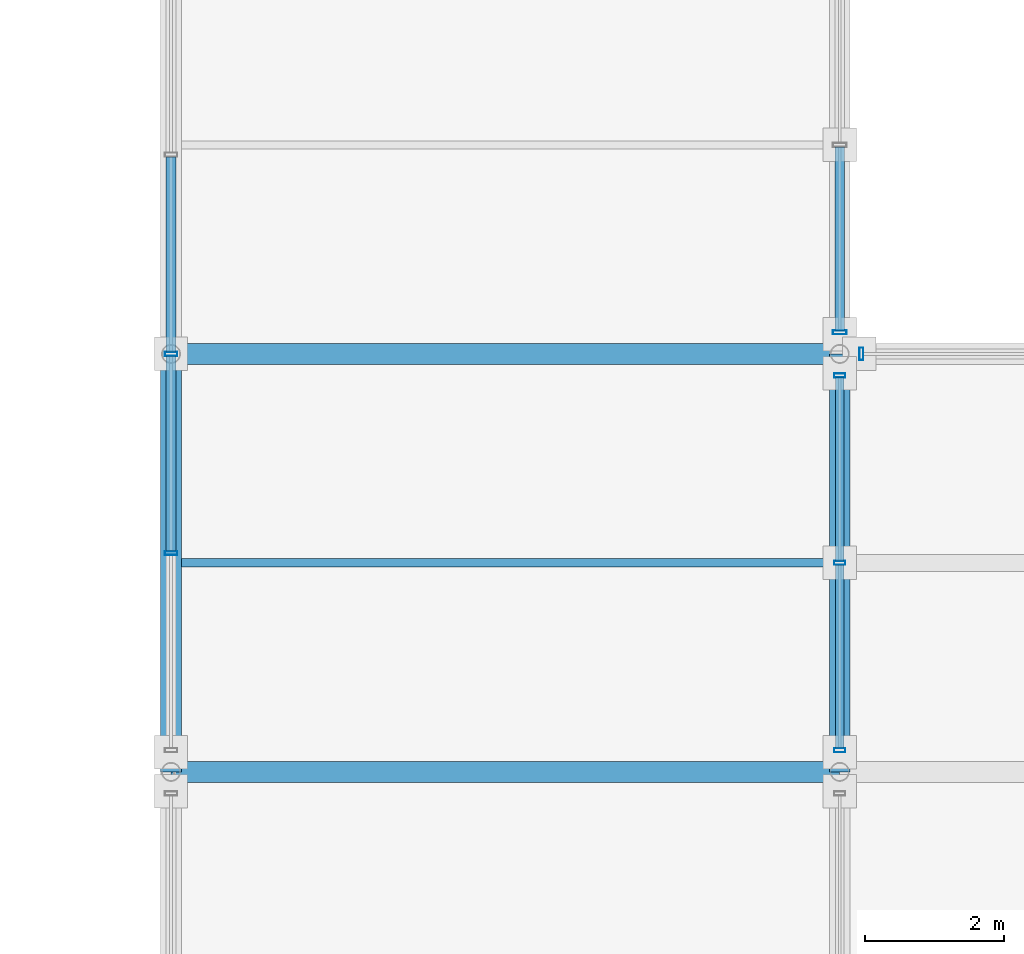
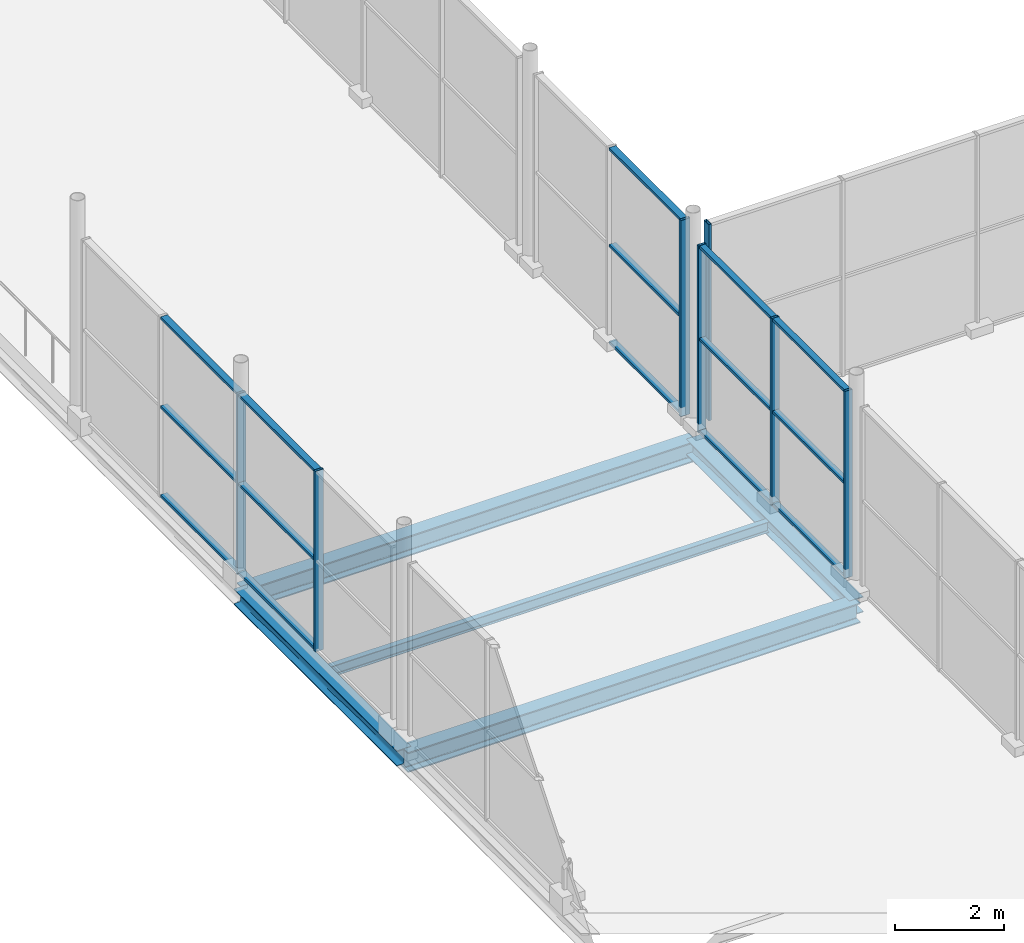
# One storey, part 56 of 159: 22 members, 5 beams, 4 elements without a shape of their own.
"""IFC4 building model written with IfcOpenShell, lengths in metres."""

from ifc_helpers import new_model, si_unit, direction, frame, origin, origin_2d, place, context, subcontext, project, spatial, hollow_rectangle, i_section, extrude, material, material_profile, profile_set, type_object, element, aggregate, save


model = new_model("IFC4")

# Units and contexts
model_context = context("Model", 3, precision=1e-05, world=origin(), true_north=direction((0.0, 1.0)))
body_context = subcontext(model_context, "Body", "Model", "MODEL_VIEW")
ifc_project = project(units=[si_unit("LENGTHUNIT", "METRE"), si_unit("AREAUNIT", "SQUARE_METRE"), si_unit("VOLUMEUNIT", "CUBIC_METRE"), si_unit("PLANEANGLEUNIT", "RADIAN"), si_unit("MASSUNIT", "GRAM", prefix="KILO")], contexts=[model_context])

# Site, building, storey
site_placement = place(None, origin())
site = spatial("IfcSite", under=ifc_project, at=site_placement, CompositionType="ELEMENT")
building_placement = place(site_placement, origin())
building = spatial("IfcBuilding", under=site, at=building_placement, Name="Merenkruunu Market Hall", CompositionType="ELEMENT")
storey_placement = place(building_placement, frame((0.0, 0.0, 5.39990234375)))
storey = spatial("IfcBuildingStorey", under=building, at=storey_placement, Name="L01", CompositionType="ELEMENT", Elevation=5.39990234375)

# Curtain wall, members
ifc_material_1 = material(Name="Powder-coated aluminium", Category="aluminium")
curtain_wall_type_1 = type_object("IfcCurtainWallType", Name="Glazed Curtain Wall CW14", PredefinedType="USERDEFINED", material=ifc_material_1)
curtain_wall_1_placement = place(storey_placement, origin())
curtain_wall_1 = element("IfcCurtainWall", 1, at=curtain_wall_1_placement, inside=storey, type_object=curtain_wall_type_1, Name="CW-L01-CWM01-155", ObjectType="GLAZED_FACADE", PredefinedType="USERDEFINED")
ifc_material_profile_1 = material_profile(ifc_material_1, hollow_rectangle(XDim=0.06005859375, YDim=0.159912109375, WallThickness=0.00390625, at=origin_2d()), Name="ALU 60x160x4")
ifc_profile_set_1 = profile_set([ifc_material_profile_1], Name="Powder-coated aluminium")
member_type_1 = type_object("IfcMemberType", Name="Curtain Wall Mullion CWM01", PredefinedType="MULLION", material=ifc_profile_set_1)
member_1_placement = place(storey_placement, frame((76.800048828125, 39.909912109375, 0.0), z_axis=(0.0, 0.0, 1.0), x_axis=(0.0, 1.0, 0.0)))
member_1 = element("IfcMember", 2, at=member_1_placement, type_object=member_type_1, Name="CW14 mullion 1", PredefinedType="MULLION", context=body_context, shape_type="SweptSolid", body=[
    extrude(hollow_rectangle(XDim=0.06005859375, YDim=0.159912109375, WallThickness=0.00390625, at=origin_2d()), origin(), (0.0, 0.0, 1.0), 4.2001953125),
])
member_2_placement = place(storey_placement, frame((76.800048828125, 42.60009765625, 0.0), z_axis=(0.0, 0.0, 1.0), x_axis=(0.0, 1.0, 0.0)))
member_2 = element("IfcMember", 3, at=member_2_placement, type_object=member_type_1, Name="CW14 mullion 2", PredefinedType="MULLION", context=body_context, shape_type="SweptSolid", body=[
    extrude(hollow_rectangle(XDim=0.06005859375, YDim=0.159912109375, WallThickness=0.00390625, at=origin_2d()), origin(), (0.0, 0.0, 1.0), 4.2001953125),
])
member_3_placement = place(storey_placement, frame((76.800048828125, 45.2900390625, 0.0), z_axis=(0.0, 0.0, 1.0), x_axis=(0.0, 1.0, 0.0)))
member_3 = element("IfcMember", 4, at=member_3_placement, type_object=member_type_1, Name="CW14 mullion 3", PredefinedType="MULLION", context=body_context, shape_type="SweptSolid", body=[
    extrude(hollow_rectangle(XDim=0.06005859375, YDim=0.159912109375, WallThickness=0.00390625, at=origin_2d()), origin(), (0.0, 0.0, 1.0), 4.2001953125),
])

curtain_wall_type_2 = type_object("IfcCurtainWallType", Name="Glazed Curtain Wall CW16", PredefinedType="USERDEFINED", material=ifc_material_1)
curtain_wall_2_placement = place(storey_placement, origin())
curtain_wall_2 = element("IfcCurtainWall", 5, at=curtain_wall_2_placement, inside=storey, type_object=curtain_wall_type_2, Name="CW-L01-CWM02-173", ObjectType="GLAZED_FACADE", PredefinedType="USERDEFINED")
ifc_material_profile_2 = material_profile(ifc_material_1, hollow_rectangle(XDim=0.06005859375, YDim=0.179931640625, WallThickness=0.00390625, at=origin_2d()), Name="ALU 60x180x4")
ifc_profile_set_2 = profile_set([ifc_material_profile_2], Name="Powder-coated aluminium")
member_type_2 = type_object("IfcMemberType", Name="Curtain Wall Mullion CWM02", PredefinedType="MULLION", material=ifc_profile_set_2)
member_4_placement = place(storey_placement, frame((67.199951171875, 42.739990234375, 0.0), z_axis=(0.0, 0.0, 1.0), x_axis=(0.0, 1.0, 0.0)))
member_4 = element("IfcMember", 6, at=member_4_placement, type_object=member_type_2, Name="CW16 mullion 2", PredefinedType="MULLION", context=body_context, shape_type="SweptSolid", body=[
    extrude(hollow_rectangle(XDim=0.06005859375, YDim=0.179931640625, WallThickness=0.00390625, at=origin_2d()), origin(), (0.0, 0.0, 1.0), 4.050048828125),
])
member_5_placement = place(storey_placement, frame((67.199951171875, 45.60009765625, 0.0), z_axis=(0.0, 0.0, 1.0), x_axis=(0.0, 1.0, 0.0)))
member_5 = element("IfcMember", 7, at=member_5_placement, type_object=member_type_2, Name="CW16 mullion 3", PredefinedType="MULLION", context=body_context, shape_type="SweptSolid", body=[
    extrude(hollow_rectangle(XDim=0.06005859375, YDim=0.179931640625, WallThickness=0.00390625, at=origin_2d()), origin(), (0.0, 0.0, 1.0), 4.050048828125),
])

# Curtain wall, member
curtain_wall_type_3 = type_object("IfcCurtainWallType", Name="Glazed Curtain Wall CW05", PredefinedType="USERDEFINED", material=ifc_material_1)
curtain_wall_3_placement = place(storey_placement, origin())
curtain_wall_3 = element("IfcCurtainWall", 8, at=curtain_wall_3_placement, inside=storey, type_object=curtain_wall_type_3, Name="CW-L01-CWM02-183", ObjectType="GLAZED_FACADE", PredefinedType="USERDEFINED")
member_6_placement = place(storey_placement, frame((77.110107421875, 45.60009765625, 0.0), z_axis=(0.0, 0.0, 1.0), x_axis=(1.0, 0.0, 0.0)))
member_6 = element("IfcMember", 9, at=member_6_placement, type_object=member_type_2, Name="CW05 mullion 1", PredefinedType="MULLION", context=body_context, shape_type="SweptSolid", body=[
    extrude(hollow_rectangle(XDim=0.06005859375, YDim=0.179931640625, WallThickness=0.00390625, at=origin_2d()), origin(), (0.0, 0.0, 1.0), 4.400146484375),
])
aggregate(curtain_wall_3, [member_6])

curtain_wall_type_4 = type_object("IfcCurtainWallType", Name="Glazed Curtain Wall CW11", PredefinedType="USERDEFINED", material=ifc_material_1)
curtain_wall_4_placement = place(storey_placement, origin())
curtain_wall_4 = element("IfcCurtainWall", 10, at=curtain_wall_4_placement, inside=storey, type_object=curtain_wall_type_4, Name="CW-L01-CWM03-157", ObjectType="GLAZED_FACADE", PredefinedType="USERDEFINED")
ifc_material_profile_3 = material_profile(ifc_material_1, hollow_rectangle(XDim=0.06005859375, YDim=0.199951171875, WallThickness=0.0048828125, at=origin_2d()), Name="ALU 60x200x5")
ifc_profile_set_3 = profile_set([ifc_material_profile_3], Name="Powder-coated aluminium")
member_type_3 = type_object("IfcMemberType", Name="Curtain Wall Mullion CWM03", PredefinedType="MULLION", material=ifc_profile_set_3)
member_7_placement = place(storey_placement, frame((76.800048828125, 45.909912109375, 0.0), z_axis=(0.0, 0.0, 1.0), x_axis=(0.0, -1.0, 0.0)))
member_7 = element("IfcMember", 11, at=member_7_placement, type_object=member_type_3, Name="CW11 mullion 3", PredefinedType="MULLION", context=body_context, shape_type="SweptSolid", body=[
    extrude(hollow_rectangle(XDim=0.06005859375, YDim=0.199951171875, WallThickness=0.0048828125, at=origin_2d()), origin(), (0.0, 0.0, 1.0), 4.400146484375),
])

# Member
ifc_material_profile_4 = material_profile(ifc_material_1, hollow_rectangle(XDim=0.06005859375, YDim=0.125, WallThickness=0.00390625, at=origin_2d()), Name="ALU 60x125x4")
ifc_profile_set_4 = profile_set([ifc_material_profile_4], Name="Powder-coated aluminium")
member_type_4 = type_object("IfcMemberType", Name="Curtain Wall Transom CWT01", PredefinedType="USERDEFINED", material=ifc_profile_set_4)
member_8_placement = place(storey_placement, frame((76.800048828125, 39.93994140625, 0.030029296875), z_axis=(0.0, 1.0, 0.0), x_axis=(0.0, 0.0, 1.0)))
member_8 = element("IfcMember", 12, at=member_8_placement, type_object=member_type_4, Name="CW14 transom 1.1", ObjectType="TRANSOM", PredefinedType="USERDEFINED", context=body_context, shape_type="SweptSolid", body=[
    extrude(hollow_rectangle(XDim=0.06005859375, YDim=0.125, WallThickness=0.00390625, at=origin_2d()), origin(), (0.0, 0.0, 1.0), 2.630126953125),
])

member_9_placement = place(storey_placement, frame((76.800048828125, 39.93994140625, 2.10009765625), z_axis=(0.0, 1.0, 0.0), x_axis=(0.0, 0.0, 1.0)))
member_9 = element("IfcMember", 13, at=member_9_placement, type_object=member_type_4, Name="CW14 transom 1.2", ObjectType="TRANSOM", PredefinedType="USERDEFINED", context=body_context, shape_type="SweptSolid", body=[
    extrude(hollow_rectangle(XDim=0.06005859375, YDim=0.125, WallThickness=0.00390625, at=origin_2d()), origin(), (0.0, 0.0, 1.0), 2.630126953125),
])

member_10_placement = place(storey_placement, frame((76.800048828125, 39.93994140625, 4.170166015625), z_axis=(0.0, 1.0, 0.0), x_axis=(0.0, 0.0, 1.0)))
member_10 = element("IfcMember", 14, at=member_10_placement, type_object=member_type_4, Name="CW14 transom 1.3", ObjectType="TRANSOM", PredefinedType="USERDEFINED", context=body_context, shape_type="SweptSolid", body=[
    extrude(hollow_rectangle(XDim=0.06005859375, YDim=0.125, WallThickness=0.00390625, at=origin_2d()), origin(), (0.0, 0.0, 1.0), 2.630126953125),
])

member_11_placement = place(storey_placement, frame((76.800048828125, 42.6298828125, 0.030029296875), z_axis=(0.0, 1.0, 0.0), x_axis=(0.0, 0.0, 1.0)))
member_11 = element("IfcMember", 15, at=member_11_placement, type_object=member_type_4, Name="CW14 transom 2.1", ObjectType="TRANSOM", PredefinedType="USERDEFINED", context=body_context, shape_type="SweptSolid", body=[
    extrude(hollow_rectangle(XDim=0.06005859375, YDim=0.125, WallThickness=0.00390625, at=origin_2d()), origin(), (0.0, 0.0, 1.0), 2.630126953125),
])

member_12_placement = place(storey_placement, frame((76.800048828125, 42.6298828125, 2.10009765625), z_axis=(0.0, 1.0, 0.0), x_axis=(0.0, 0.0, 1.0)))
member_12 = element("IfcMember", 16, at=member_12_placement, type_object=member_type_4, Name="CW14 transom 2.2", ObjectType="TRANSOM", PredefinedType="USERDEFINED", context=body_context, shape_type="SweptSolid", body=[
    extrude(hollow_rectangle(XDim=0.06005859375, YDim=0.125, WallThickness=0.00390625, at=origin_2d()), origin(), (0.0, 0.0, 1.0), 2.630126953125),
])

member_13_placement = place(storey_placement, frame((76.800048828125, 42.6298828125, 4.170166015625), z_axis=(0.0, 1.0, 0.0), x_axis=(0.0, 0.0, 1.0)))
member_13 = element("IfcMember", 17, at=member_13_placement, type_object=member_type_4, Name="CW14 transom 2.3", ObjectType="TRANSOM", PredefinedType="USERDEFINED", context=body_context, shape_type="SweptSolid", body=[
    extrude(hollow_rectangle(XDim=0.06005859375, YDim=0.125, WallThickness=0.00390625, at=origin_2d()), origin(), (0.0, 0.0, 1.0), 2.630126953125),
])

aggregate(curtain_wall_1, [member_1, member_2, member_3, member_8, member_9, member_10, member_11, member_12, member_13])

ifc_material_profile_5 = material_profile(ifc_material_1, hollow_rectangle(XDim=0.06005859375, YDim=0.139892578125, WallThickness=0.00390625, at=origin_2d()), Name="ALU 60x140x4")
ifc_profile_set_5 = profile_set([ifc_material_profile_5], Name="Powder-coated aluminium")
member_type_5 = type_object("IfcMemberType", Name="Curtain Wall Transom CWT02", PredefinedType="USERDEFINED", material=ifc_profile_set_5)
member_14_placement = place(storey_placement, frame((76.800048828125, 48.570068359375, 0.030029296875), z_axis=(0.0, -1.0, 0.0), x_axis=(0.0, 0.0, 1.0)))
member_14 = element("IfcMember", 18, at=member_14_placement, type_object=member_type_5, Name="CW11 transom 2.1", ObjectType="TRANSOM", PredefinedType="USERDEFINED", context=body_context, shape_type="SweptSolid", body=[
    extrude(hollow_rectangle(XDim=0.06005859375, YDim=0.139892578125, WallThickness=0.00390625, at=origin_2d()), origin(), (0.0, 0.0, 1.0), 2.630126953125),
])

member_15_placement = place(storey_placement, frame((76.800048828125, 48.570068359375, 2.2001953125), z_axis=(0.0, -1.0, 0.0), x_axis=(0.0, 0.0, 1.0)))
member_15 = element("IfcMember", 19, at=member_15_placement, type_object=member_type_5, Name="CW11 transom 2.2", ObjectType="TRANSOM", PredefinedType="USERDEFINED", context=body_context, shape_type="SweptSolid", body=[
    extrude(hollow_rectangle(XDim=0.06005859375, YDim=0.139892578125, WallThickness=0.00390625, at=origin_2d()), origin(), (0.0, 0.0, 1.0), 2.630126953125),
])

member_16_placement = place(storey_placement, frame((76.800048828125, 48.570068359375, 4.3701171875), z_axis=(0.0, -1.0, 0.0), x_axis=(0.0, 0.0, 1.0)))
member_16 = element("IfcMember", 20, at=member_16_placement, type_object=member_type_5, Name="CW11 transom 2.3", ObjectType="TRANSOM", PredefinedType="USERDEFINED", context=body_context, shape_type="SweptSolid", body=[
    extrude(hollow_rectangle(XDim=0.06005859375, YDim=0.139892578125, WallThickness=0.00390625, at=origin_2d()), origin(), (0.0, 0.0, 1.0), 2.630126953125),
])

aggregate(curtain_wall_4, [member_7, member_14, member_15, member_16])

member_17_placement = place(storey_placement, frame((67.199951171875, 42.77001953125, 0.030029296875), z_axis=(0.0, 1.0, 0.0), x_axis=(0.0, 0.0, 1.0)))
member_17 = element("IfcMember", 21, at=member_17_placement, type_object=member_type_5, Name="CW16 transom 2.1", ObjectType="TRANSOM", PredefinedType="USERDEFINED", context=body_context, shape_type="SweptSolid", body=[
    extrude(hollow_rectangle(XDim=0.06005859375, YDim=0.139892578125, WallThickness=0.00390625, at=origin_2d()), origin(), (0.0, 0.0, 1.0), 2.800048828125),
])

member_18_placement = place(storey_placement, frame((67.199951171875, 42.77001953125, 2.025146484375), z_axis=(0.0, 1.0, 0.0), x_axis=(0.0, 0.0, 1.0)))
member_18 = element("IfcMember", 22, at=member_18_placement, type_object=member_type_5, Name="CW16 transom 2.2", ObjectType="TRANSOM", PredefinedType="USERDEFINED", context=body_context, shape_type="SweptSolid", body=[
    extrude(hollow_rectangle(XDim=0.06005859375, YDim=0.139892578125, WallThickness=0.00390625, at=origin_2d()), origin(), (0.0, 0.0, 1.0), 2.800048828125),
])

member_19_placement = place(storey_placement, frame((67.199951171875, 42.77001953125, 4.02001953125), z_axis=(0.0, 1.0, 0.0), x_axis=(0.0, 0.0, 1.0)))
member_19 = element("IfcMember", 23, at=member_19_placement, type_object=member_type_5, Name="CW16 transom 2.3", ObjectType="TRANSOM", PredefinedType="USERDEFINED", context=body_context, shape_type="SweptSolid", body=[
    extrude(hollow_rectangle(XDim=0.06005859375, YDim=0.139892578125, WallThickness=0.00390625, at=origin_2d()), origin(), (0.0, 0.0, 1.0), 2.800048828125),
])

member_20_placement = place(storey_placement, frame((67.199951171875, 45.6298828125, 0.030029296875), z_axis=(0.0, 1.0, 0.0), x_axis=(0.0, 0.0, 1.0)))
member_20 = element("IfcMember", 24, at=member_20_placement, type_object=member_type_5, Name="CW16 transom 3.1", ObjectType="TRANSOM", PredefinedType="USERDEFINED", context=body_context, shape_type="SweptSolid", body=[
    extrude(hollow_rectangle(XDim=0.06005859375, YDim=0.139892578125, WallThickness=0.00390625, at=origin_2d()), origin(), (0.0, 0.0, 1.0), 2.800048828125),
])

member_21_placement = place(storey_placement, frame((67.199951171875, 45.6298828125, 2.025146484375), z_axis=(0.0, 1.0, 0.0), x_axis=(0.0, 0.0, 1.0)))
member_21 = element("IfcMember", 25, at=member_21_placement, type_object=member_type_5, Name="CW16 transom 3.2", ObjectType="TRANSOM", PredefinedType="USERDEFINED", context=body_context, shape_type="SweptSolid", body=[
    extrude(hollow_rectangle(XDim=0.06005859375, YDim=0.139892578125, WallThickness=0.00390625, at=origin_2d()), origin(), (0.0, 0.0, 1.0), 2.800048828125),
])

member_22_placement = place(storey_placement, frame((67.199951171875, 45.6298828125, 4.02001953125), z_axis=(0.0, 1.0, 0.0), x_axis=(0.0, 0.0, 1.0)))
member_22 = element("IfcMember", 26, at=member_22_placement, type_object=member_type_5, Name="CW16 transom 3.3", ObjectType="TRANSOM", PredefinedType="USERDEFINED", context=body_context, shape_type="SweptSolid", body=[
    extrude(hollow_rectangle(XDim=0.06005859375, YDim=0.139892578125, WallThickness=0.00390625, at=origin_2d()), origin(), (0.0, 0.0, 1.0), 2.800048828125),
])

aggregate(curtain_wall_2, [member_4, member_5, member_17, member_18, member_19, member_20, member_21, member_22])

# Beams
ifc_material_2 = material(Name="Steel S355J2", Category="steel")
ifc_material_profile_6 = material_profile(ifc_material_2, i_section(OverallWidth=0.300048828125, OverallDepth=0.449951171875, WebThickness=0.013916015625, FlangeThickness=0.02587890625, FilletRadius=0.027099609375, at=origin_2d()), Name="HEB 450")
ifc_profile_set_6 = profile_set([ifc_material_profile_6], Name="Steel S355J2")
beam_type_1 = type_object("IfcBeamType", Name="Primary Floor Girder B03", PredefinedType="BEAM", material=ifc_profile_set_6)
for number, where, z_axis, x_axis, name in (
    (27, (67.199951171875, 39.60009765625, -0.534912109375), (1.0, 0.0, 0.0), (0.0, 1.0, 0.0), "BM-L01-B03-0496"),
    (28, (67.199951171875, 45.60009765625, -0.534912109375), (1.0, 0.0, 0.0), (0.0, 1.0, 0.0), "BM-L01-B03-0508"),
):
    element("IfcBeam", number, at=place(storey_placement, frame(where, z_axis=z_axis, x_axis=x_axis)), inside=storey, type_object=beam_type_1, Name=name, PredefinedType="BEAM", context=body_context, shape_type="SweptSolid", body=[
        extrude(i_section(OverallWidth=0.300048828125, OverallDepth=0.449951171875, WebThickness=0.013916015625, FlangeThickness=0.02587890625, FilletRadius=0.027099609375, at=origin_2d()), origin(), (0.0, 0.0, 1.0), 9.60009765625),
    ])
ifc_material_profile_7 = material_profile(ifc_material_2, i_section(OverallWidth=0.300048828125, OverallDepth=0.35009765625, WebThickness=0.010009765625, FlangeThickness=0.017578125, FilletRadius=0.027099609375, at=origin_2d()), Name="HEA 360")
ifc_profile_set_7 = profile_set([ifc_material_profile_7], Name="Steel S355J2")
beam_type_2 = type_object("IfcBeamType", Name="Primary Floor Girder B08", PredefinedType="BEAM", material=ifc_profile_set_7)
for number, where, z_axis, x_axis, name in (
    (29, (67.199951171875, 39.60009765625, -0.48486328125), (0.0, 1.0, 0.0), (-1.0, 0.0, 0.0), "BM-L01-B08-0591"),
    (30, (76.800048828125, 39.60009765625, -0.48486328125), (0.0, 1.0, 0.0), (-1.0, 0.0, 0.0), "BM-L01-B08-0599"),
):
    element("IfcBeam", number, at=place(storey_placement, frame(where, z_axis=z_axis, x_axis=x_axis)), inside=storey, type_object=beam_type_2, Name=name, PredefinedType="BEAM", context=body_context, shape_type="SweptSolid", body=[
        extrude(i_section(OverallWidth=0.300048828125, OverallDepth=0.35009765625, WebThickness=0.010009765625, FlangeThickness=0.017578125, FilletRadius=0.027099609375, at=origin_2d()), origin(), (0.0, 0.0, 1.0), 6.0),
    ])
ifc_material_profile_8 = material_profile(ifc_material_2, i_section(OverallWidth=0.1201171875, OverallDepth=0.239990234375, WebThickness=0.006103515625, FlangeThickness=0.009765625, FilletRadius=0.014892578125, at=origin_2d()), Name="IPE 240")
ifc_profile_set_8 = profile_set([ifc_material_profile_8], Name="Steel S355J2")
beam_type_3 = type_object("IfcBeamType", Name="Secondary Floor Joist J05", PredefinedType="JOIST", material=ifc_profile_set_8)
beam_placement = place(storey_placement, frame((67.35302734375, 42.60009765625, -0.429931640625), z_axis=(1.0, 0.0, 0.0), x_axis=(0.0, 1.0, 0.0)))
element("IfcBeam", 31, at=beam_placement, inside=storey, type_object=beam_type_3, Name="BM-L01-J05-0680", PredefinedType="JOIST", context=body_context, shape_type="SweptSolid", body=[
    extrude(i_section(OverallWidth=0.1201171875, OverallDepth=0.239990234375, WebThickness=0.006103515625, FlangeThickness=0.009765625, FilletRadius=0.014892578125, at=origin_2d()), origin(), (0.0, 0.0, 1.0), 9.2939453125),
])

save(model, "model.ifc")
